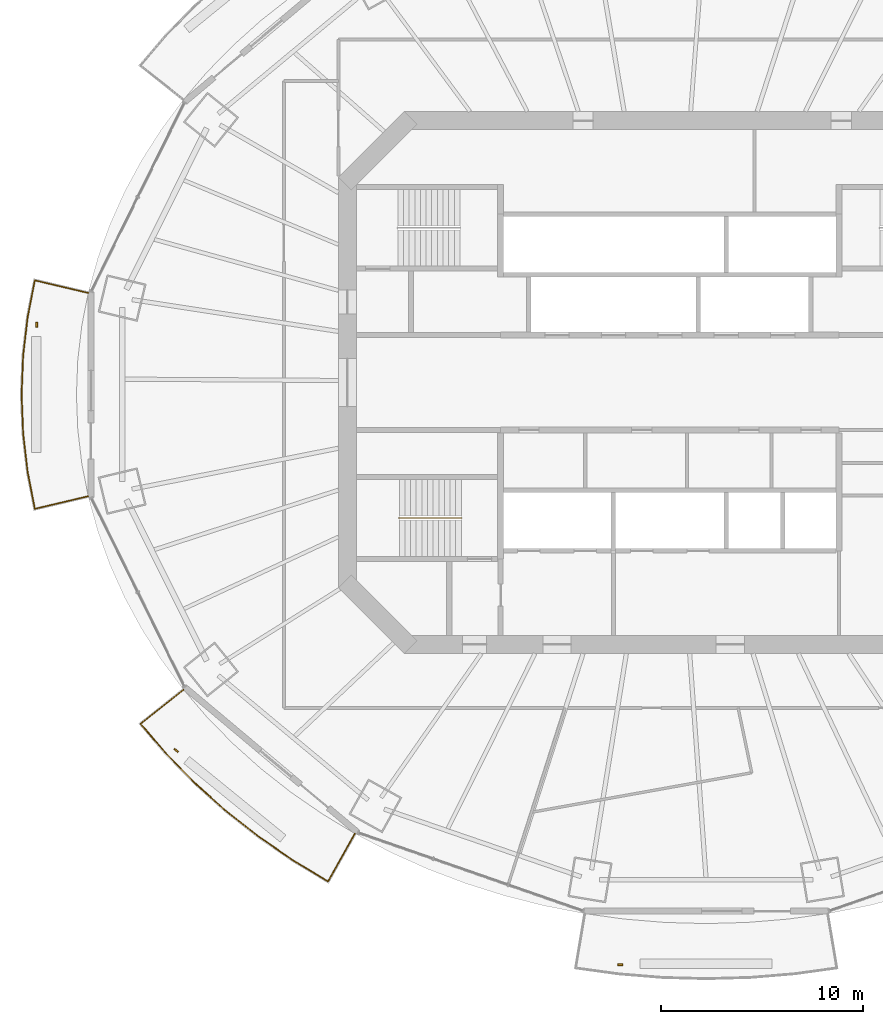
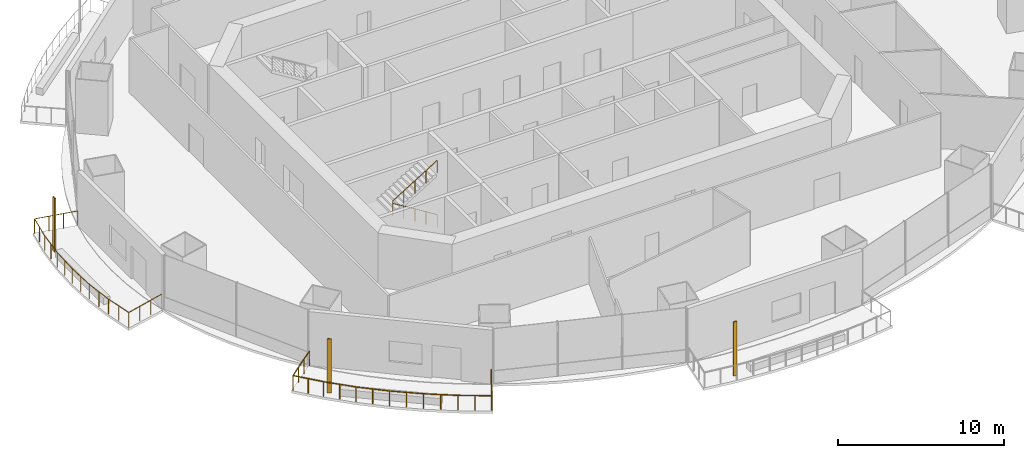
# One storey, part 15 of 20: 3 railings, 3 shading devices.
"""IFC4 building model written with IfcOpenShell, lengths in metres."""

from ifc_helpers import new_model, si_unit, direction, frame, origin, origin_2d, place, context, subcontext, project, spatial, rectangle, circle, extrude, material, material_profile, profile_set, type_object, element, save


model = new_model("IFC4")

# Units and contexts
model_context = context("Model", 3, precision=1e-05, world=origin(), true_north=direction((0.0, 1.0)))
body_context = subcontext(model_context, "Body", "Model", "MODEL_VIEW")
ifc_project = project(units=[si_unit("LENGTHUNIT", "METRE"), si_unit("AREAUNIT", "SQUARE_METRE"), si_unit("VOLUMEUNIT", "CUBIC_METRE"), si_unit("PLANEANGLEUNIT", "RADIAN"), si_unit("MASSUNIT", "GRAM", prefix="KILO")], contexts=[model_context])

# Site, building, storey
site_placement = place(None, origin())
site = spatial("IfcSite", under=ifc_project, at=site_placement, CompositionType="ELEMENT")
building_placement = place(site_placement, origin())
building = spatial("IfcBuilding", under=site, at=building_placement, Name="Marenthal Gate Tower", CompositionType="ELEMENT")
storey_placement = place(building_placement, frame((0.0, 0.0, 215.0)))
storey = spatial("IfcBuildingStorey", under=building, at=storey_placement, Name="L47", CompositionType="ELEMENT", Elevation=215.0)

# Railings
ifc_material_1 = material(Name="Stainless steel", Category="steel")
railing_type_1 = type_object("IfcRailingType", Name="Balcony guard 1100", PredefinedType="GUARDRAIL", material=ifc_material_1)
railing_1_placement = place(storey_placement, frame((-28.867919921875, -5.643310546875, 0.0)))
element("IfcRailing", 1, at=railing_1_placement, inside=storey, type_object=railing_type_1, Name="Balcony guard L47 bay 8", PredefinedType="GUARDRAIL", context=body_context, shape_type="SweptSolid", body=[
    extrude(circle(Radius=0.02392578125, at=origin_2d()), frame((0.0, 0.0, 1.076171875), z_axis=(-0.97303205389, -0.230199891, -0.014718433577), x_axis=(0.230224829417, -0.973137466096, 0.0)), (0.0, 0.0, 1.0), 2.72021484375),
    extrude(circle(Radius=0.02392578125, at=origin_2d()), frame((-2.64697265625, -0.626220703125, 1.0361328125), z_axis=(-0.191182873219, 0.981554435061, 0.0), x_axis=(-0.981554435061, -0.191182873219, 0.0)), (0.0, 0.0, 1.0), 1.856689453125),
    extrude(circle(Radius=0.02392578125, at=origin_2d()), frame((-3.001953125, 1.1962890625, 1.0361328125), z_axis=(-0.116503993111, 0.993190223265, 0.0), x_axis=(-0.993190223265, -0.116503993111, 0.0)), (0.0, 0.0, 1.0), 1.93212890625),
    extrude(circle(Radius=0.02392578125, at=origin_2d()), frame((-3.22705078125, 3.115234375, 1.0361328125), z_axis=(-0.038846179196, 0.999245202321, 0.0), x_axis=(-0.999245202321, -0.038846179196, 0.0)), (0.0, 0.0, 1.0), 1.929443359375),
    extrude(circle(Radius=0.02392578125, at=origin_2d()), frame((-3.302001953125, 5.043212890625, 1.0361328125), z_axis=(0.038841268134, 0.999245393229, 0.0), x_axis=(-0.999245393229, 0.038841268134, 0.0)), (0.0, 0.0, 1.0), 1.9296875),
    extrude(circle(Radius=0.02392578125, at=origin_2d()), frame((-3.22705078125, 6.971435546875, 1.0361328125), z_axis=(0.116503993111, 0.993190223265, 0.0), x_axis=(-0.993190223265, 0.116503993111, 0.0)), (0.0, 0.0, 1.0), 1.93212890625),
    extrude(circle(Radius=0.02392578125, at=origin_2d()), frame((-3.001953125, 8.890380859375, 1.0361328125), z_axis=(0.19120755082, 0.981549628144, 0.0), x_axis=(-0.981549628144, 0.19120755082, 0.0)), (0.0, 0.0, 1.0), 1.8564453125),
    extrude(circle(Radius=0.02392578125, at=origin_2d()), frame((-2.64697265625, 10.712646484375, 1.0361328125), z_axis=(0.973052153091, -0.230114897669, 0.014718737604), x_axis=(0.230139827907, 0.97315757183, 0.0)), (0.0, 0.0, 1.0), 2.72021484375),
    extrude(circle(Radius=0.02099609375, at=origin_2d()), origin(), (0.0, 0.0, 1.0), 1.052001953125),
    extrude(circle(Radius=0.02099609375, at=origin_2d()), frame((-0.88232421875, -0.208740234375, -0.013427734375)), (0.0, 0.0, 1.0), 1.052001953125),
    extrude(circle(Radius=0.02099609375, at=origin_2d()), frame((-1.7646484375, -0.41748046875, -0.026611328125)), (0.0, 0.0, 1.0), 1.052001953125),
    extrude(circle(Radius=0.02099609375, at=origin_2d()), frame((-2.64697265625, -0.626220703125, -0.0400390625)), (0.0, 0.0, 1.0), 1.052001953125),
    extrude(circle(Radius=0.02099609375, at=origin_2d()), frame((-2.824462890625, 0.28515625, -0.0400390625)), (0.0, 0.0, 1.0), 1.052001953125),
    extrude(circle(Radius=0.02099609375, at=origin_2d()), frame((-3.001953125, 1.1962890625, -0.0400390625)), (0.0, 0.0, 1.0), 1.052001953125),
    extrude(circle(Radius=0.02099609375, at=origin_2d()), frame((-3.114501953125, 2.15576171875, -0.0400390625)), (0.0, 0.0, 1.0), 1.052001953125),
    extrude(circle(Radius=0.02099609375, at=origin_2d()), frame((-3.22705078125, 3.115234375, -0.0400390625)), (0.0, 0.0, 1.0), 1.052001953125),
    extrude(circle(Radius=0.02099609375, at=origin_2d()), frame((-3.2646484375, 4.0791015625, -0.0400390625)), (0.0, 0.0, 1.0), 1.052001953125),
    extrude(circle(Radius=0.02099609375, at=origin_2d()), frame((-3.302001953125, 5.043212890625, -0.0400390625)), (0.0, 0.0, 1.0), 1.052001953125),
    extrude(circle(Radius=0.02099609375, at=origin_2d()), frame((-3.2646484375, 6.00732421875, -0.0400390625)), (0.0, 0.0, 1.0), 1.052001953125),
    extrude(circle(Radius=0.02099609375, at=origin_2d()), frame((-3.22705078125, 6.971435546875, -0.0400390625)), (0.0, 0.0, 1.0), 1.052001953125),
    extrude(circle(Radius=0.02099609375, at=origin_2d()), frame((-3.114501953125, 7.930908203125, -0.0400390625)), (0.0, 0.0, 1.0), 1.052001953125),
    extrude(circle(Radius=0.02099609375, at=origin_2d()), frame((-3.001953125, 8.890380859375, -0.0400390625)), (0.0, 0.0, 1.0), 1.052001953125),
    extrude(circle(Radius=0.02099609375, at=origin_2d()), frame((-2.824462890625, 9.801513671875, -0.0400390625)), (0.0, 0.0, 1.0), 1.052001953125),
    extrude(circle(Radius=0.02099609375, at=origin_2d()), frame((-2.64697265625, 10.712646484375, -0.0400390625)), (0.0, 0.0, 1.0), 1.052001953125),
    extrude(circle(Radius=0.02099609375, at=origin_2d()), frame((-1.7646484375, 10.50390625, -0.026611328125)), (0.0, 0.0, 1.0), 1.052001953125),
    extrude(circle(Radius=0.02099609375, at=origin_2d()), frame((-0.88232421875, 10.29541015625, -0.013427734375)), (0.0, 0.0, 1.0), 1.052001953125),
    extrude(circle(Radius=0.02099609375, at=origin_2d()), frame((0.0, 10.086669921875, 0.0)), (0.0, 0.0, 1.0), 1.052001953125),
])
railing_2_placement = place(storey_placement, frame((-15.63134765625, -22.386962890625, 0.0)))
element("IfcRailing", 2, at=railing_2_placement, inside=storey, type_object=railing_type_1, Name="Balcony guard L47 bay 10", PredefinedType="GUARDRAIL", context=body_context, shape_type="SweptSolid", body=[
    extrude(circle(Radius=0.02392578125, at=origin_2d()), frame((0.0, 0.0, 1.076171875), z_axis=(-0.489760652224, -0.871732676388, -0.014718846796), x_axis=(0.871827119757, -0.489813712809, 0.0)), (0.0, 0.0, 1.0), 2.72021484375),
    extrude(circle(Radius=0.02392578125, at=origin_2d()), frame((-1.332275390625, -2.371337890625, 1.0361328125), z_axis=(-0.856107698036, 0.516797454873, 0.0), x_axis=(-0.516797454873, -0.856107698036, 0.0)), (0.0, 0.0, 1.0), 2.026123046875),
    extrude(circle(Radius=0.02392578125, at=origin_2d()), frame((-3.06689453125, -1.32421875, 1.0361328125), z_axis=(-0.823321977979, 0.567574594724, 0.0), x_axis=(-0.567574594724, -0.823321977979, 0.0)), (0.0, 0.0, 1.0), 2.089599609375),
    extrude(circle(Radius=0.02392578125, at=origin_2d()), frame((-4.787353515625, -0.13818359375, 1.0361328125), z_axis=(-0.78593395674, 0.618310452477, 0.0), x_axis=(-0.618310452477, -0.78593395674, 0.0)), (0.0, 0.0, 1.0), 2.072509765625),
    extrude(circle(Radius=0.02392578125, at=origin_2d()), frame((-6.416259765625, 1.143310546875, 1.0361328125), z_axis=(-0.744380056443, 0.667756191712, 0.0), x_axis=(-0.667756191712, -0.744380056443, 0.0)), (0.0, 0.0, 1.0), 2.05517578125),
    extrude(circle(Radius=0.02392578125, at=origin_2d()), frame((-7.946044921875, 2.515625, 1.0361328125), z_axis=(-0.698792276333, 0.715324649748, 0.0), x_axis=(-0.715324649748, -0.698792276333, 0.0)), (0.0, 0.0, 1.0), 2.037841796875),
    extrude(circle(Radius=0.02392578125, at=origin_2d()), frame((-9.3701171875, 3.973388671875, 1.0361328125), z_axis=(-0.650003821806, 0.759930938729, 0.0), x_axis=(-0.759930938729, -0.650003821806, 0.0)), (0.0, 0.0, 1.0), 1.941162109375),
    extrude(circle(Radius=0.02392578125, at=origin_2d()), frame((-10.6318359375, 5.448486328125, 1.0361328125), z_axis=(0.782855020802, 0.62203005264, 0.014718356461), x_axis=(-0.622097438779, 0.78293982953, 0.0)), (0.0, 0.0, 1.0), 2.720458984375),
    extrude(circle(Radius=0.02099609375, at=origin_2d()), origin(), (0.0, 0.0, 1.0), 1.052001953125),
    extrude(circle(Radius=0.02099609375, at=origin_2d()), frame((-0.444091796875, -0.79052734375, -0.013427734375)), (0.0, 0.0, 1.0), 1.052001953125),
    extrude(circle(Radius=0.02099609375, at=origin_2d()), frame((-0.88818359375, -1.580810546875, -0.026611328125)), (0.0, 0.0, 1.0), 1.052001953125),
    extrude(circle(Radius=0.02099609375, at=origin_2d()), frame((-1.332275390625, -2.371337890625, -0.0400390625)), (0.0, 0.0, 1.0), 1.052001953125),
    extrude(circle(Radius=0.02099609375, at=origin_2d()), frame((-2.19970703125, -1.84765625, -0.0400390625)), (0.0, 0.0, 1.0), 1.052001953125),
    extrude(circle(Radius=0.02099609375, at=origin_2d()), frame((-3.06689453125, -1.32421875, -0.0400390625)), (0.0, 0.0, 1.0), 1.052001953125),
    extrude(circle(Radius=0.02099609375, at=origin_2d()), frame((-3.92724609375, -0.731201171875, -0.0400390625)), (0.0, 0.0, 1.0), 1.052001953125),
    extrude(circle(Radius=0.02099609375, at=origin_2d()), frame((-4.787353515625, -0.13818359375, -0.0400390625)), (0.0, 0.0, 1.0), 1.052001953125),
    extrude(circle(Radius=0.02099609375, at=origin_2d()), frame((-5.601806640625, 0.50244140625, -0.0400390625)), (0.0, 0.0, 1.0), 1.052001953125),
    extrude(circle(Radius=0.02099609375, at=origin_2d()), frame((-6.416259765625, 1.143310546875, -0.0400390625)), (0.0, 0.0, 1.0), 1.052001953125),
    extrude(circle(Radius=0.02099609375, at=origin_2d()), frame((-7.18115234375, 1.82958984375, -0.0400390625)), (0.0, 0.0, 1.0), 1.052001953125),
    extrude(circle(Radius=0.02099609375, at=origin_2d()), frame((-7.946044921875, 2.515625, -0.0400390625)), (0.0, 0.0, 1.0), 1.052001953125),
    extrude(circle(Radius=0.02099609375, at=origin_2d()), frame((-8.658203125, 3.24462890625, -0.0400390625)), (0.0, 0.0, 1.0), 1.052001953125),
    extrude(circle(Radius=0.02099609375, at=origin_2d()), frame((-9.3701171875, 3.973388671875, -0.0400390625)), (0.0, 0.0, 1.0), 1.052001953125),
    extrude(circle(Radius=0.02099609375, at=origin_2d()), frame((-10.0009765625, 4.7109375, -0.0400390625)), (0.0, 0.0, 1.0), 1.052001953125),
    extrude(circle(Radius=0.02099609375, at=origin_2d()), frame((-10.6318359375, 5.448486328125, -0.0400390625)), (0.0, 0.0, 1.0), 1.052001953125),
    extrude(circle(Radius=0.02099609375, at=origin_2d()), frame((-9.921875, 6.012451171875, -0.026611328125)), (0.0, 0.0, 1.0), 1.052001953125),
    extrude(circle(Radius=0.02099609375, at=origin_2d()), frame((-9.212158203125, 6.57666015625, -0.013427734375)), (0.0, 0.0, 1.0), 1.052001953125),
    extrude(circle(Radius=0.02099609375, at=origin_2d()), frame((-8.502197265625, 7.140625, 0.0)), (0.0, 0.0, 1.0), 1.052001953125),
])
ifc_material_2 = material(Name="Stainless steel", Category="steel")
railing_type_2 = type_object("IfcRailingType", Name="Stair handrail", PredefinedType="HANDRAIL", material=ifc_material_2)
railing_3_placement = place(storey_placement, frame((-10.35009765625, -6.72509765625, 0.1728515625)))
element("IfcRailing", 3, at=railing_3_placement, inside=storey, type_object=railing_type_2, Name="Handrail ST2", PredefinedType="HANDRAIL", context=body_context, shape_type="SweptSolid", body=[
    extrude(circle(Radius=0.0224609375, at=origin_2d()), frame((0.0, 0.0, 0.927490234375), z_axis=(-0.850816621229, 0.0, 0.525462726595), x_axis=(0.0, -1.0, 0.0)), (0.0, 0.0, 1.0), 3.619873046875),
    extrude(circle(Radius=0.0224609375, at=origin_2d()), frame((-3.079833984375, 0.0, 2.82958984375), z_axis=(0.0, 0.0, 1.0), x_axis=(1.0, 0.0, 0.0)), (0.0, 0.0, 1.0), 0.1728515625),
    extrude(circle(Radius=0.0224609375, at=origin_2d()), frame((-3.079833984375, 0.0, 3.00244140625), z_axis=(0.850816621229, 0.0, 0.525462726595), x_axis=(0.0, 1.0, 0.0)), (0.0, 0.0, 1.0), 3.619873046875),
    extrude(circle(Radius=0.02001953125, at=origin_2d()), origin(), (0.0, 0.0, 1.0), 0.905029296875),
    extrude(circle(Radius=0.02001953125, at=origin_2d()), frame((-0.77001953125, 0.0, 0.4755859375)), (0.0, 0.0, 1.0), 0.905029296875),
    extrude(circle(Radius=0.02001953125, at=origin_2d()), frame((-1.5400390625, 0.0, 0.951171875)), (0.0, 0.0, 1.0), 0.905029296875),
    extrude(circle(Radius=0.02001953125, at=origin_2d()), frame((-2.309814453125, 0.0, 1.426513671875)), (0.0, 0.0, 1.0), 0.905029296875),
    extrude(circle(Radius=0.02001953125, at=origin_2d()), frame((-3.079833984375, 0.0, 1.902099609375)), (0.0, 0.0, 1.0), 0.905029296875),
    extrude(circle(Radius=0.02001953125, at=origin_2d()), frame((-3.079833984375, 0.0, 2.074951171875)), (0.0, 0.0, 1.0), 0.905029296875),
    extrude(circle(Radius=0.02001953125, at=origin_2d()), frame((-2.309814453125, 0.0, 2.550537109375)), (0.0, 0.0, 1.0), 0.905029296875),
    extrude(circle(Radius=0.02001953125, at=origin_2d()), frame((-1.5400390625, 0.0, 3.02587890625)), (0.0, 0.0, 1.0), 0.905029296875),
    extrude(circle(Radius=0.02001953125, at=origin_2d()), frame((-0.77001953125, 0.0, 3.50146484375)), (0.0, 0.0, 1.0), 0.905029296875),
    extrude(circle(Radius=0.02001953125, at=origin_2d()), frame((0.0, 0.0, 3.97705078125)), (0.0, 0.0, 1.0), 0.905029296875),
])

# Shading devices
ifc_material_3 = material(Name="Terracotta", Category="masonry")
ifc_material_profile = material_profile(ifc_material_3, rectangle(XDim=0.25, YDim=0.080078125, at=origin_2d()), Name="Terracotta baguette 250x80")
ifc_profile_set = profile_set([ifc_material_profile], Name="Terracotta")
shading_device_type = type_object("IfcShadingDeviceType", Name="Terracotta BAGUETTE SCREEN 250x80", PredefinedType="USERDEFINED", material=ifc_profile_set)
for number, where, z_axis, x_axis, name in (
    (4, (-31.41796875, 2.8662109375, -0.0400390625), (0.0, 0.0, 1.0), (0.0, -1.0, 0.0), "Terracotta BAGUETTE L47 bay 8L"),
    (5, (-24.4970703125, -18.259765625, -0.0400390625), (0.0, 0.0, 1.0), (0.765627996549, -0.643283585131, 0.0), "Terracotta BAGUETTE L47 bay 10L"),
    (6, (-2.4580078125, -28.89501953125, -0.0400390625), (0.0, 0.0, 1.0), (1.0, 0.0, 0.0), "Terracotta BAGUETTE L47 bay 12L"),
):
    element("IfcShadingDevice", number, at=place(storey_placement, frame(where, z_axis=z_axis, x_axis=x_axis)), inside=storey, type_object=shading_device_type, Name=name, ObjectType="BAGUETTE SCREEN", PredefinedType="USERDEFINED", context=body_context, shape_type="SweptSolid", body=[
        extrude(rectangle(XDim=0.25, YDim=0.080078125, at=origin_2d()), origin(), (0.0, 0.0, 1.0), 3.969970703125),
    ])

save(model, "model.ifc")
